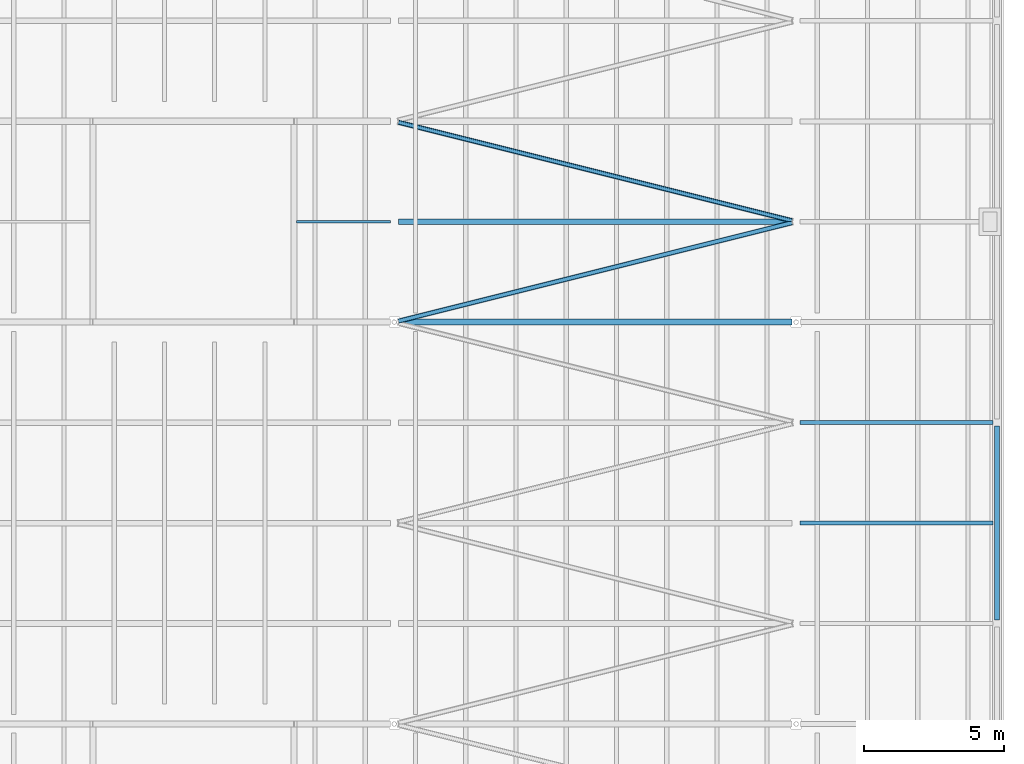
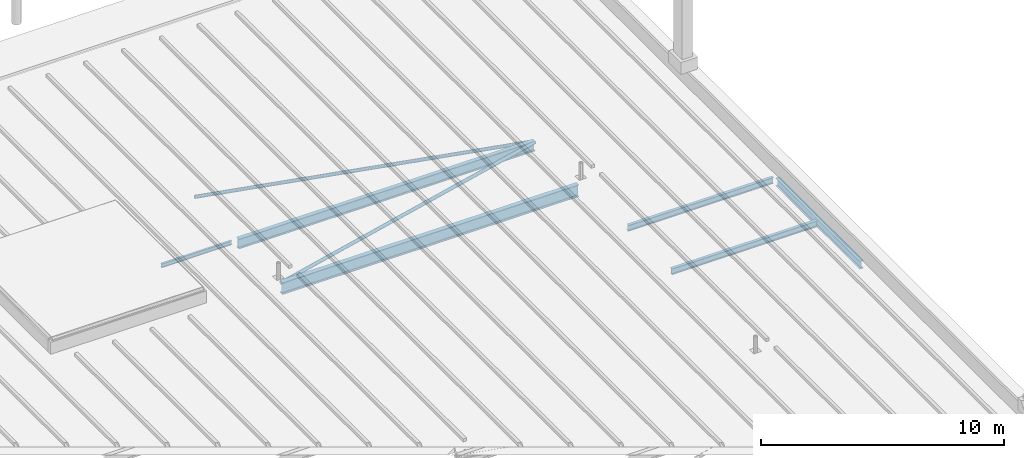
# One storey, part 55 of 120: 6 beams, 2 members.
"""IFC4 building model written with IfcOpenShell, lengths in metres."""

from ifc_helpers import new_model, si_unit, direction, frame, origin, origin_2d, place, context, subcontext, project, spatial, hollow_circle, i_section, extrude, material, material_profile, profile_set, type_object, element, save


model = new_model("IFC4")

# Units and contexts
model_context = context("Model", 3, precision=1e-05, world=origin(), true_north=direction((0.0, 1.0)))
body_context = subcontext(model_context, "Body", "Model", "MODEL_VIEW")
ifc_project = project(units=[si_unit("LENGTHUNIT", "METRE"), si_unit("AREAUNIT", "SQUARE_METRE"), si_unit("VOLUMEUNIT", "CUBIC_METRE"), si_unit("PLANEANGLEUNIT", "RADIAN"), si_unit("MASSUNIT", "GRAM", prefix="KILO")], contexts=[model_context])

# Site, building, storey
site_placement = place(None, origin())
site = spatial("IfcSite", under=ifc_project, at=site_placement, CompositionType="ELEMENT")
building_placement = place(site_placement, origin())
building = spatial("IfcBuilding", under=site, at=building_placement, Name="Kupolbacken Congress Centre", CompositionType="ELEMENT")
storey_placement = place(building_placement, frame((0.0, 0.0, 21.60009765625)))
storey = spatial("IfcBuildingStorey", under=building, at=storey_placement, Name="L06", CompositionType="ELEMENT", Elevation=21.60009765625)

# Beams
ifc_material_1 = material(Name="Steel S355", Category="steel")
ifc_material_profile_1 = material_profile(ifc_material_1, i_section(OverallWidth=0.10009765625, OverallDepth=0.199951171875, WebThickness=0.005615234375, FlangeThickness=0.008544921875, FilletRadius=0.011962890625, at=origin_2d()), Name="IPE 200")
ifc_profile_set_1 = profile_set([ifc_material_profile_1], Name="Steel S355")
beam_type_1 = type_object("IfcBeamType", Name="B01 beam IPE 200", PredefinedType="BEAM", material=ifc_profile_set_1)
beam_1_placement = place(storey_placement, frame((176.5, 100.800048828125, -0.10009765625), z_axis=(1.0, 0.0, 0.0), x_axis=(0.0, 1.0, 0.0)))
element("IfcBeam", 1, at=beam_1_placement, inside=storey, type_object=beam_type_1, Name="HR/P16-06-1", PredefinedType="BEAM", context=body_context, shape_type="SweptSolid", body=[
    extrude(i_section(OverallWidth=0.10009765625, OverallDepth=0.199951171875, WebThickness=0.005615234375, FlangeThickness=0.008544921875, FilletRadius=0.011962890625, at=origin_2d()), origin(), (0.0, 0.0, 1.0), 3.35498046875),
])
ifc_material_2 = material(Name="Steel S355", Category="steel")
ifc_material_profile_2 = material_profile(ifc_material_2, i_section(OverallWidth=0.14990234375, OverallDepth=0.300048828125, WebThickness=0.007080078125, FlangeThickness=0.0107421875, FilletRadius=0.014892578125, at=origin_2d()), Name="IPE 300")
ifc_profile_set_2 = profile_set([ifc_material_profile_2], Name="Steel S355")
beam_type_2 = type_object("IfcBeamType", Name="B04 beam IPE 300", PredefinedType="BEAM", material=ifc_profile_set_2)
for number, where, z_axis, x_axis, name in (
    (2, (194.544921875, 90.0, -0.150146484375), (1.0, 0.0, 0.0), (0.0, 1.0, 0.0), "HR/P13-08"),
    (3, (194.544921875, 93.60009765625, -0.150146484375), (1.0, 0.0, 0.0), (0.0, 1.0, 0.0), "HR/P14-08"),
):
    element("IfcBeam", number, at=place(storey_placement, frame(where, z_axis=z_axis, x_axis=x_axis)), inside=storey, type_object=beam_type_2, Name=name, PredefinedType="BEAM", context=body_context, shape_type="SweptSolid", body=[
        extrude(i_section(OverallWidth=0.14990234375, OverallDepth=0.300048828125, WebThickness=0.007080078125, FlangeThickness=0.0107421875, FilletRadius=0.014892578125, at=origin_2d()), origin(), (0.0, 0.0, 1.0), 6.9150390625),
    ])
ifc_material_3 = material(Name="Steel S355", Category="steel")
ifc_material_profile_3 = material_profile(ifc_material_3, i_section(OverallWidth=0.179931640625, OverallDepth=0.39990234375, WebThickness=0.008544921875, FlangeThickness=0.013427734375, FilletRadius=0.02099609375, at=origin_2d()), Name="IPE 400")
ifc_profile_set_3 = profile_set([ifc_material_profile_3], Name="Steel S355")
beam_type_3 = type_object("IfcBeamType", Name="B07 beam IPE 400", PredefinedType="BEAM", material=ifc_profile_set_3)
beam_2_placement = place(storey_placement, frame((201.60009765625, 86.530029296875, -0.2001953125), z_axis=(0.0, 1.0, 0.0), x_axis=(-1.0, 0.0, 0.0)))
element("IfcBeam", 4, at=beam_2_placement, inside=storey, type_object=beam_type_3, Name="HR/GE07", PredefinedType="BEAM", context=body_context, shape_type="SweptSolid", body=[
    extrude(i_section(OverallWidth=0.179931640625, OverallDepth=0.39990234375, WebThickness=0.008544921875, FlangeThickness=0.013427734375, FilletRadius=0.02099609375, at=origin_2d()), origin(), (0.0, 0.0, 1.0), 6.93994140625),
])
ifc_material_4 = material(Name="Steel S355", Category="steel")
ifc_material_profile_4 = material_profile(ifc_material_4, i_section(OverallWidth=0.199951171875, OverallDepth=0.5, WebThickness=0.01025390625, FlangeThickness=0.01611328125, FilletRadius=0.02099609375, at=origin_2d()), Name="IPE 500")
ifc_profile_set_4 = profile_set([ifc_material_profile_4], Name="Steel S355")
beam_type_4 = type_object("IfcBeamType", Name="B09 beam IPE 500", PredefinedType="BEAM", material=ifc_profile_set_4)
beam_3_placement = place(storey_placement, frame((180.14501953125, 100.800048828125, -0.25), z_axis=(1.0, 0.0, 0.0), x_axis=(0.0, 1.0, 0.0)))
element("IfcBeam", 5, at=beam_3_placement, inside=storey, type_object=beam_type_4, Name="HR/P16-07", PredefinedType="BEAM", context=body_context, shape_type="SweptSolid", body=[
    extrude(i_section(OverallWidth=0.199951171875, OverallDepth=0.5, WebThickness=0.01025390625, FlangeThickness=0.01611328125, FilletRadius=0.02099609375, at=origin_2d()), origin(), (0.0, 0.0, 1.0), 14.10986328125),
])
ifc_material_5 = material(Name="Steel S355", Category="steel")
ifc_material_profile_5 = material_profile(ifc_material_5, i_section(OverallWidth=0.219970703125, OverallDepth=0.60009765625, WebThickness=0.011962890625, FlangeThickness=0.01904296875, FilletRadius=0.02392578125, at=origin_2d()), Name="IPE 600")
ifc_profile_set_5 = profile_set([ifc_material_profile_5], Name="Steel S355")
beam_type_5 = type_object("IfcBeamType", Name="B11 beam IPE 600", PredefinedType="BEAM", material=ifc_profile_set_5)
beam_4_placement = place(storey_placement, frame((180.14501953125, 97.199951171875, -0.300048828125), z_axis=(1.0, 0.0, 0.0), x_axis=(0.0, 1.0, 0.0)))
element("IfcBeam", 6, at=beam_4_placement, inside=storey, type_object=beam_type_5, Name="HR/X15-07", PredefinedType="BEAM", context=body_context, shape_type="SweptSolid", body=[
    extrude(i_section(OverallWidth=0.219970703125, OverallDepth=0.60009765625, WebThickness=0.011962890625, FlangeThickness=0.01904296875, FilletRadius=0.02392578125, at=origin_2d()), origin(), (0.0, 0.0, 1.0), 14.10986328125),
])

# Members
ifc_material_6 = material(Name="Steel S355", Category="steel")
ifc_material_profile_6 = material_profile(ifc_material_6, hollow_circle(Radius=0.084228515625, WallThickness=0.008056640625, at=origin_2d()), Name="CHS 168.3 x 8")
ifc_profile_set_6 = profile_set([ifc_material_profile_6], Name="Steel S355")
member_type = type_object("IfcMemberType", Name="M21 brace CHS 168.3 x 8", PredefinedType="BRACE", material=ifc_profile_set_6)
for number, where, z_axis, x_axis, name in (
    (7, (180.140625, 97.235107421875, -0.084228515625), (0.970140526498, 0.24254351949, 0.0), (-0.24254351949, 0.970140526498, 0.0), "HR/RB/07-15"),
    (8, (194.25927734375, 100.835205078125, -0.084228515625), (-0.970144473737, 0.242527730535, 0.0), (-0.242527730535, -0.970144473737, 0.0), "HR/RB/07-16"),
):
    element("IfcMember", number, at=place(storey_placement, frame(where, z_axis=z_axis, x_axis=x_axis)), inside=storey, type_object=member_type, Name=name, PredefinedType="BRACE", context=body_context, shape_type="SweptSolid", body=[
        extrude(hollow_circle(Radius=0.084228515625, WallThickness=0.008056640625, at=origin_2d()), origin(), (0.0, 0.0, 1.0), 14.55322265625),
    ])

save(model, "model.ifc")
